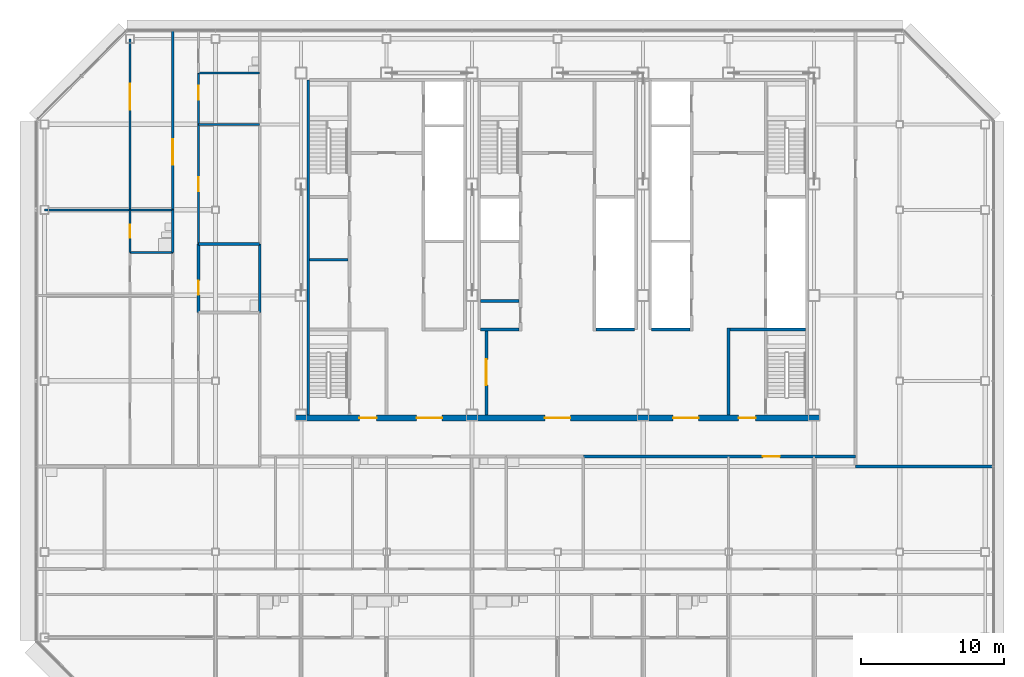
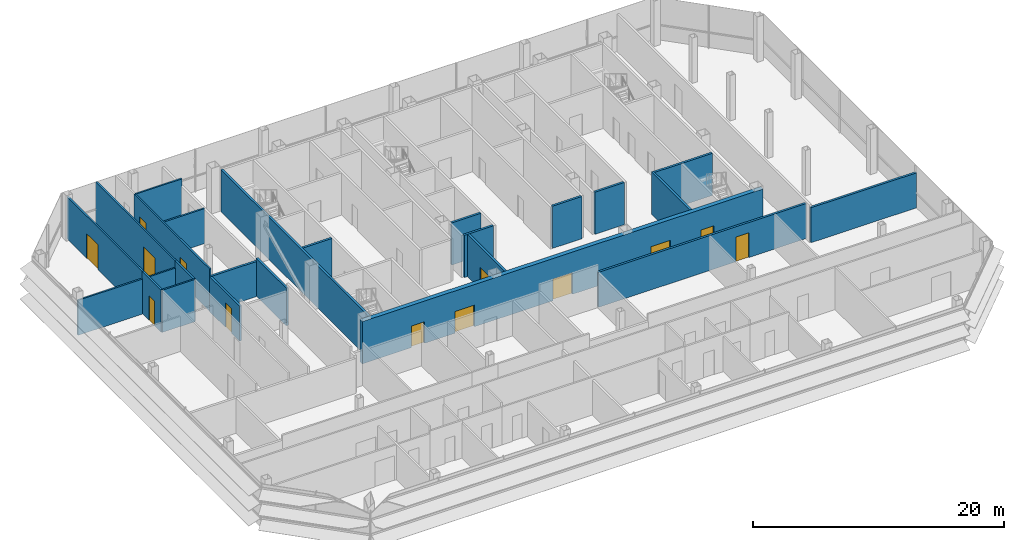
# One storey, part 23 of 29: 25 walls, 13 doors, 13 openings.
"""IFC4 building model written with IfcOpenShell, lengths in metres."""

from ifc_helpers import new_model, si_unit, direction, frame, frame_2d, origin, place, context, subcontext, project, spatial, rectangle, extrude, material, layer, layer_set, type_object, element, fill, save


model = new_model("IFC4")

# Units and contexts
model_context = context("Model", 3, precision=1e-05, world=origin(), true_north=direction((0.0, 1.0)))
body_context = subcontext(model_context, "Body", "Model", "MODEL_VIEW")
ifc_project = project(units=[si_unit("LENGTHUNIT", "METRE"), si_unit("AREAUNIT", "SQUARE_METRE"), si_unit("VOLUMEUNIT", "CUBIC_METRE"), si_unit("PLANEANGLEUNIT", "RADIAN"), si_unit("MASSUNIT", "GRAM", prefix="KILO")], contexts=[model_context])

# Site, building, storey
site_placement = place(None, origin())
site = spatial("IfcSite", under=ifc_project, at=site_placement, CompositionType="ELEMENT")
building_placement = place(site_placement, origin())
building = spatial("IfcBuilding", under=site, at=building_placement, Name="Sorahane Residences", CompositionType="ELEMENT")
storey_placement = place(building_placement, frame((0.0, 0.0, 277.39990234375)))
storey = spatial("IfcBuildingStorey", under=building, at=storey_placement, Name="L66", CompositionType="ELEMENT", Elevation=277.39990234375)

# Walls
ifc_material_1 = material(Name="Concrete C30", Category="concrete")
ifc_layer_1 = layer(ifc_material_1, 0.199951171875)
ifc_layer_set_1 = layer_set([ifc_layer_1], Name="Core face wall 200 EI 180")
wall_type_1 = type_object("IfcWallType", Name="Core face wall 200 EI 180", PredefinedType="SOLIDWALL", material=ifc_layer_set_1)
wall_1_placement = place(storey_placement, frame((6.5, 21.60009765625, 0.0), z_axis=(0.0, 0.0, 1.0), x_axis=(0.0, 1.0, 0.0)))
element("IfcWall", 1, at=wall_1_placement, inside=storey, type_object=wall_type_1, Name="L66 core face wall", PredefinedType="SOLIDWALL", context=body_context, shape_type="SweptSolid", body=[
    extrude(rectangle(XDim=23.5, YDim=0.199951171875, at=frame_2d((11.75, 0.0))), origin(), (0.0, 0.0, 1.0), 4.10009765625),
])
ifc_material_2 = material(Name="Concrete blockwork C20 wall", Category="masonry")
ifc_layer_2 = layer(ifc_material_2, 0.199951171875)
ifc_layer_set_2 = layer_set([ifc_layer_2], Name="Corridor wall 200 EI 120")
wall_type_2 = type_object("IfcWallType", Name="Corridor wall 200 EI 120", PredefinedType="SOLIDWALL", material=ifc_layer_set_2)
wall_2_placement = place(storey_placement, frame((44.89990234375, 18.0, 0.0), z_axis=(0.0, 0.0, 1.0), x_axis=(1.0, 0.0, 0.0)))
element("IfcWall", 2, at=wall_2_placement, inside=storey, type_object=wall_type_2, Name="L66 corridor wall", PredefinedType="SOLIDWALL", context=body_context, shape_type="SweptSolid", body=[
    extrude(rectangle(XDim=9.7001953125, YDim=0.199951171875, at=frame_2d((4.85009765625, 0.0))), origin(), (0.0, 0.0, 1.0), 3.400146484375),
])

# Wall, opening, door
wall_3_placement = place(storey_placement, frame((25.800048828125, 18.699951171875, 0.0), z_axis=(0.0, 0.0, 1.0), x_axis=(1.0, 0.0, 0.0)))
wall_3 = element("IfcWall", 3, at=wall_3_placement, inside=storey, type_object=wall_type_2, Name="L66 corridor wall", PredefinedType="SOLIDWALL", context=body_context, shape_type="SweptSolid", body=[
    extrude(rectangle(XDim=19.099853515625, YDim=0.199951171875, at=frame_2d((9.5498046875, 0.0))), origin(), (0.0, 0.0, 1.0), 3.400146484375),
])
opening_1_placement = place(wall_3_placement, frame((12.60009765625, 0.0, 0.0)))
opening_1 = element("IfcOpeningElement", 4, at=opening_1_placement, cuts=wall_3, Name="Opening L66-43", PredefinedType="OPENING", context=body_context, shape_type="SweptSolid", body=[
    extrude(rectangle(XDim=1.199951171875, YDim=2.39990234375, at=frame_2d((0.60009765625, 1.199951171875))), frame((0.0, 0.10986328125, 0.0), z_axis=(0.0, -1.0, 0.0), x_axis=(1.0, 0.0, 0.0)), (0.0, 0.0, 1.0), 0.219970703125),
])
ifc_material_3 = material(Name="Timber veneered fire door", Category="wood")
door_type_1 = type_object("IfcDoorType", Name="Flat entrance door 1200x2400 FD60", OperationType="NOTDEFINED", PredefinedType="DOOR", material=ifc_material_3)
door_1_placement = place(opening_1_placement, frame((1.199951171875, 0.0, 0.0), z_axis=(0.0, 0.0, 1.0), x_axis=(-1.0, 0.0, 0.0)))
door_1 = element("IfcDoor", 5, at=door_1_placement, inside=storey, type_object=door_type_1, Name="Flat entrance door L66-43", OperationType="SINGLE_SWING_LEFT", OverallHeight=2.39990234375, OverallWidth=1.199951171875, PredefinedType="DOOR", context=body_context, shape_type="SweptSolid", body=[
    extrude(rectangle(XDim=1.199951171875, YDim=2.39990234375, at=frame_2d((0.60009765625, 1.199951171875))), frame((0.0, 0.02490234375, 0.0), z_axis=(0.0, -1.0, 0.0), x_axis=(1.0, 0.0, 0.0)), (0.0, 0.0, 1.0), 0.050048828125),
])
fill(opening_1, door_1)

# Wall
ifc_material_4 = material(Name="Concrete C30", Category="concrete")
ifc_layer_3 = layer(ifc_material_4, 0.199951171875)
ifc_layer_set_3 = layer_set([ifc_layer_3], Name="Front room wall 200 EI 120")
wall_type_3 = type_object("IfcWallType", Name="Front room wall 200 EI 120", PredefinedType="PARTITIONING", material=ifc_layer_set_3)
wall_4_placement = place(storey_placement, frame((36.0, 21.60009765625, 0.0), z_axis=(0.0, 0.0, 1.0), x_axis=(0.0, 1.0, 0.0)))
element("IfcWall", 6, at=wall_4_placement, inside=storey, type_object=wall_type_3, Name="L66 front room wall", PredefinedType="PARTITIONING", context=body_context, shape_type="SweptSolid", body=[
    extrude(rectangle(XDim=6.099853515625, YDim=0.199951171875, at=frame_2d((3.0498046875, 0.0))), origin(), (0.0, 0.0, 1.0), 4.10009765625),
])

# Wall, opening, door
ifc_material_5 = material(Name="Concrete blockwork C20 wall", Category="masonry")
ifc_layer_4 = layer(ifc_material_5, 0.199951171875)
ifc_layer_set_4 = layer_set([ifc_layer_4], Name="Kitchen wall 200 EI 180")
wall_type_4 = type_object("IfcWallType", Name="Kitchen wall 200 EI 180", PredefinedType="SOLIDWALL", material=ifc_layer_set_4)
wall_5_placement = place(storey_placement, frame((-1.199951171875, 28.800048828125, 0.0), z_axis=(0.0, 0.0, 1.0), x_axis=(0.0, 1.0, 0.0)))
wall_5 = element("IfcWall", 7, at=wall_5_placement, inside=storey, type_object=wall_type_4, Name="L66 kitchen wall", PredefinedType="SOLIDWALL", context=body_context, shape_type="SweptSolid", body=[
    extrude(rectangle(XDim=4.800048828125, YDim=0.199951171875, at=frame_2d((2.39990234375, 0.0))), origin(), (0.0, 0.0, 1.0), 3.400146484375),
])
opening_2_placement = place(wall_5_placement, frame((1.239990234375, 0.0, 0.0)))
opening_2 = element("IfcOpeningElement", 8, at=opening_2_placement, cuts=wall_5, Name="Opening L66-32", PredefinedType="OPENING", context=body_context, shape_type="SweptSolid", body=[
    extrude(rectangle(XDim=1.0, YDim=2.39990234375, at=frame_2d((0.5, 1.199951171875))), frame((0.0, 0.10986328125, 0.0), z_axis=(0.0, -1.0, 0.0), x_axis=(1.0, 0.0, 0.0)), (0.0, 0.0, 1.0), 0.219970703125),
])
ifc_material_6 = material(Name="Steel", Category="steel")
door_type_2 = type_object("IfcDoorType", Name="Kitchen door 1000x2400 FD120", OperationType="NOTDEFINED", PredefinedType="DOOR", material=ifc_material_6)
door_2_placement = place(opening_2_placement, frame((1.0, 0.0, 0.0), z_axis=(0.0, 0.0, 1.0), x_axis=(-1.0, 0.0, 0.0)))
door_2 = element("IfcDoor", 9, at=door_2_placement, inside=storey, type_object=door_type_2, Name="Kitchen door L66-32", OperationType="SINGLE_SWING_LEFT", OverallHeight=2.39990234375, OverallWidth=1.0, PredefinedType="DOOR", context=body_context, shape_type="SweptSolid", body=[
    extrude(rectangle(XDim=1.0, YDim=2.39990234375, at=frame_2d((0.5, 1.199951171875))), frame((0.0, 0.02490234375, 0.0), z_axis=(0.0, -1.0, 0.0), x_axis=(1.0, 0.0, 0.0)), (0.0, 0.0, 1.0), 0.050048828125),
])
fill(opening_2, door_2)

# Walls
wall_6_placement = place(storey_placement, frame((3.10009765625, 28.800048828125, 0.0), z_axis=(0.0, 0.0, 1.0), x_axis=(0.0, 1.0, 0.0)))
element("IfcWall", 10, at=wall_6_placement, inside=storey, type_object=wall_type_4, Name="L66 kitchen wall", PredefinedType="SOLIDWALL", context=body_context, shape_type="SweptSolid", body=[
    extrude(rectangle(XDim=4.800048828125, YDim=0.199951171875, at=frame_2d((2.39990234375, 0.0))), origin(), (0.0, 0.0, 1.0), 3.650146484375),
])
wall_7_placement = place(storey_placement, frame((-1.199951171875, 33.60009765625, 0.0), z_axis=(0.0, 0.0, 1.0), x_axis=(1.0, 0.0, 0.0)))
element("IfcWall", 11, at=wall_7_placement, inside=storey, type_object=wall_type_4, Name="L66 kitchen wall", PredefinedType="SOLIDWALL", context=body_context, shape_type="SweptSolid", body=[
    extrude(rectangle(XDim=4.300048828125, YDim=0.199951171875, at=frame_2d((2.14990234375, 0.0))), origin(), (0.0, 0.0, 1.0), 3.400146484375),
])
ifc_material_7 = material(Name="Concrete C30", Category="concrete")
ifc_layer_5 = layer(ifc_material_7, 0.199951171875)
ifc_layer_set_5 = layer_set([ifc_layer_5], Name="Lift shaft wall 200 EI 120")
wall_type_5 = type_object("IfcWallType", Name="Lift shaft wall 200 EI 120", PredefinedType="SOLIDWALL", material=ifc_layer_set_5)
wall_8_placement = place(storey_placement, frame((30.60009765625, 27.60009765625, 0.0), z_axis=(0.0, 0.0, 1.0), x_axis=(1.0, 0.0, 0.0)))
element("IfcWall", 12, at=wall_8_placement, inside=storey, type_object=wall_type_5, Name="L66 lift shaft wall", PredefinedType="SOLIDWALL", context=body_context, shape_type="SweptSolid", body=[
    extrude(rectangle(XDim=2.699951171875, YDim=0.199951171875, at=frame_2d((1.35009765625, 0.0))), origin(), (0.0, 0.0, 1.0), 4.10009765625),
])

# Wall, openings, doors
ifc_material_8 = material(Name="Gypsum board partition on steel studs", Category="steel")
ifc_layer_6 = layer(ifc_material_8, 0.14990234375)
ifc_layer_set_6 = layer_set([ifc_layer_6], Name="Partition 150 EI 90")
wall_type_6 = type_object("IfcWallType", Name="Partition 150 EI 90", PredefinedType="PARTITIONING", material=ifc_layer_set_6)
wall_9_placement = place(storey_placement, frame((-1.199951171875, 33.60009765625, 0.0), z_axis=(0.0, 0.0, 1.0), x_axis=(0.0, 1.0, 0.0)))
wall_9 = element("IfcWall", 13, at=wall_9_placement, inside=storey, type_object=wall_type_6, Name="L66 partition", PredefinedType="PARTITIONING", context=body_context, shape_type="SweptSolid", body=[
    extrude(rectangle(XDim=12.0, YDim=0.14990234375, at=frame_2d((6.0, 0.0))), origin(), (0.0, 0.0, 1.0), 4.10009765625),
])
opening_3_placement = place(wall_9_placement, frame((10.1201171875, 0.0, 0.0)))
opening_3 = element("IfcOpeningElement", 14, at=opening_3_placement, cuts=wall_9, Name="Opening L66-30", PredefinedType="OPENING", context=body_context, shape_type="SweptSolid", body=[
    extrude(rectangle(XDim=1.0, YDim=2.39990234375, at=frame_2d((0.5, 1.199951171875))), frame((0.0, 0.0849609375, 0.0), z_axis=(0.0, -1.0, 0.0), x_axis=(1.0, 0.0, 0.0)), (0.0, 0.0, 1.0), 0.169921875),
])
opening_4_placement = place(wall_9_placement, frame((3.699951171875, 0.0, 0.0)))
opening_4 = element("IfcOpeningElement", 15, at=opening_4_placement, cuts=wall_9, Name="Opening L66-33", PredefinedType="OPENING", context=body_context, shape_type="SweptSolid", body=[
    extrude(rectangle(XDim=1.0, YDim=2.39990234375, at=frame_2d((0.5, 1.199951171875))), frame((0.0, 0.0849609375, 0.0), z_axis=(0.0, -1.0, 0.0), x_axis=(1.0, 0.0, 0.0)), (0.0, 0.0, 1.0), 0.169921875),
])
ifc_material_9 = material(Name="Timber veneered fire door", Category="wood")
door_type_3 = type_object("IfcDoorType", Name="Room door 1000x2400 FD30", OperationType="NOTDEFINED", PredefinedType="DOOR", material=ifc_material_9)
door_3_placement = place(opening_3_placement, origin())
door_3 = element("IfcDoor", 16, at=door_3_placement, inside=storey, type_object=door_type_3, Name="Room door L66-30", OperationType="SINGLE_SWING_LEFT", OverallHeight=2.39990234375, OverallWidth=1.0, PredefinedType="DOOR", context=body_context, shape_type="SweptSolid", body=[
    extrude(rectangle(XDim=1.0, YDim=2.39990234375, at=frame_2d((0.5, 1.199951171875))), frame((0.0, 0.02490234375, 0.0), z_axis=(0.0, -1.0, 0.0), x_axis=(1.0, 0.0, 0.0)), (0.0, 0.0, 1.0), 0.050048828125),
])
fill(opening_3, door_3)
door_4_placement = place(opening_4_placement, frame((1.0, 0.0, 0.0), z_axis=(0.0, 0.0, 1.0), x_axis=(-1.0, 0.0, 0.0)))
door_4 = element("IfcDoor", 17, at=door_4_placement, inside=storey, type_object=door_type_3, Name="Room door L66-33", OperationType="SINGLE_SWING_LEFT", OverallHeight=2.39990234375, OverallWidth=1.0, PredefinedType="DOOR", context=body_context, shape_type="SweptSolid", body=[
    extrude(rectangle(XDim=1.0, YDim=2.39990234375, at=frame_2d((0.5, 1.199951171875))), frame((0.0, 0.02490234375, 0.0), z_axis=(0.0, -1.0, 0.0), x_axis=(1.0, 0.0, 0.0)), (0.0, 0.0, 1.0), 0.050048828125),
])
fill(opening_4, door_4)

# Wall, opening, door
wall_10_placement = place(storey_placement, frame((-3.0, 36.0, 0.0), z_axis=(0.0, 0.0, 1.0), x_axis=(0.0, 1.0, 0.0)))
wall_10 = element("IfcWall", 18, at=wall_10_placement, inside=storey, type_object=wall_type_6, Name="L66 partition", PredefinedType="PARTITIONING", context=body_context, shape_type="SweptSolid", body=[
    extrude(rectangle(XDim=12.60009765625, YDim=0.14990234375, at=frame_2d((6.300048828125, 0.0))), origin(), (0.0, 0.0, 1.0), 4.10009765625),
])
opening_5_placement = place(wall_10_placement, frame((3.159912109375, 0.0, 0.0)))
opening_5 = element("IfcOpeningElement", 19, at=opening_5_placement, cuts=wall_10, Name="Opening L66-37", PredefinedType="OPENING", context=body_context, shape_type="SweptSolid", body=[
    extrude(rectangle(XDim=1.800048828125, YDim=2.39990234375, at=frame_2d((0.89990234375, 1.199951171875))), frame((0.0, 0.0849609375, 0.0), z_axis=(0.0, -1.0, 0.0), x_axis=(1.0, 0.0, 0.0)), (0.0, 0.0, 1.0), 0.169921875),
])
ifc_material_10 = material(Name="Timber veneered fire door", Category="wood")
door_type_4 = type_object("IfcDoorType", Name="Double door 1800x2400 FD30", OperationType="NOTDEFINED", PredefinedType="DOOR", material=ifc_material_10)
door_5_placement = place(opening_5_placement, origin())
door_5 = element("IfcDoor", 20, at=door_5_placement, inside=storey, type_object=door_type_4, Name="Double door L66-37", OperationType="SINGLE_SWING_LEFT", OverallHeight=2.39990234375, OverallWidth=1.800048828125, PredefinedType="DOOR", context=body_context, shape_type="SweptSolid", body=[
    extrude(rectangle(XDim=1.800048828125, YDim=2.39990234375, at=frame_2d((0.89990234375, 1.199951171875))), frame((0.0, 0.02490234375, 0.0), z_axis=(0.0, -1.0, 0.0), x_axis=(1.0, 0.0, 0.0)), (0.0, 0.0, 1.0), 0.050048828125),
])
fill(opening_5, door_5)

wall_11_placement = place(storey_placement, frame((-6.0, 36.0, 0.0), z_axis=(0.0, 0.0, 1.0), x_axis=(0.0, 1.0, 0.0)))
wall_11 = element("IfcWall", 21, at=wall_11_placement, inside=storey, type_object=wall_type_6, Name="L66 partition", PredefinedType="PARTITIONING", context=body_context, shape_type="SweptSolid", body=[
    extrude(rectangle(XDim=12.0, YDim=0.14990234375, at=frame_2d((6.0, 0.0))), origin(), (0.0, 0.0, 1.0), 4.10009765625),
])
opening_6_placement = place(wall_11_placement, frame((7.0400390625, 0.0, 0.0)))
opening_6 = element("IfcOpeningElement", 22, at=opening_6_placement, cuts=wall_11, Name="Opening L66-41", PredefinedType="OPENING", context=body_context, shape_type="SweptSolid", body=[
    extrude(rectangle(XDim=1.800048828125, YDim=2.39990234375, at=frame_2d((0.89990234375, 1.199951171875))), frame((0.0, 0.0849609375, 0.0), z_axis=(0.0, -1.0, 0.0), x_axis=(1.0, 0.0, 0.0)), (0.0, 0.0, 1.0), 0.169921875),
])
door_6_placement = place(opening_6_placement, origin())
door_6 = element("IfcDoor", 23, at=door_6_placement, inside=storey, type_object=door_type_4, Name="Double door L66-41", OperationType="SINGLE_SWING_LEFT", OverallHeight=2.39990234375, OverallWidth=1.800048828125, PredefinedType="DOOR", context=body_context, shape_type="SweptSolid", body=[
    extrude(rectangle(XDim=1.800048828125, YDim=2.39990234375, at=frame_2d((0.89990234375, 1.199951171875))), frame((0.0, 0.02490234375, 0.0), z_axis=(0.0, -1.0, 0.0), x_axis=(1.0, 0.0, 0.0)), (0.0, 0.0, 1.0), 0.050048828125),
])
fill(opening_6, door_6)

# Walls
wall_12_placement = place(storey_placement, frame((-12.0, 36.0, 0.0), z_axis=(0.0, 0.0, 1.0), x_axis=(1.0, 0.0, 0.0)))
element("IfcWall", 24, at=wall_12_placement, inside=storey, type_object=wall_type_6, Name="L66 partition", PredefinedType="PARTITIONING", context=body_context, shape_type="SweptSolid", body=[
    extrude(rectangle(XDim=6.0, YDim=0.14990234375, at=frame_2d((3.0, 0.0))), origin(), (0.0, 0.0, 1.0), 3.400146484375),
])
wall_13_placement = place(storey_placement, frame((-1.199951171875, 42.0, 0.0), z_axis=(0.0, 0.0, 1.0), x_axis=(1.0, 0.0, 0.0)))
element("IfcWall", 25, at=wall_13_placement, inside=storey, type_object=wall_type_6, Name="L66 partition", PredefinedType="PARTITIONING", context=body_context, shape_type="SweptSolid", body=[
    extrude(rectangle(XDim=4.300048828125, YDim=0.14990234375, at=frame_2d((2.14990234375, 0.0))), origin(), (0.0, 0.0, 1.0), 3.400146484375),
])
ifc_material_11 = material(Name="Concrete C30", Category="concrete")
ifc_layer_7 = layer(ifc_material_11, 0.199951171875)
ifc_layer_set_7 = layer_set([ifc_layer_7], Name="Riser shaft wall 200 EI 120")
wall_type_7 = type_object("IfcWallType", Name="Riser shaft wall 200 EI 120", PredefinedType="SOLIDWALL", material=ifc_layer_set_7)
wall_14_placement = place(storey_placement, frame((26.699951171875, 27.60009765625, 0.0), z_axis=(0.0, 0.0, 1.0), x_axis=(1.0, 0.0, 0.0)))
element("IfcWall", 26, at=wall_14_placement, inside=storey, type_object=wall_type_7, Name="L66 riser wall", PredefinedType="SOLIDWALL", context=body_context, shape_type="SweptSolid", body=[
    extrude(rectangle(XDim=2.699951171875, YDim=0.199951171875, at=frame_2d((1.35009765625, 0.0))), origin(), (0.0, 0.0, 1.0), 4.10009765625),
])

# Wall, opening, door
ifc_material_12 = material(Name="Concrete C30", Category="concrete")
ifc_layer_8 = layer(ifc_material_12, 0.199951171875)
ifc_layer_set_8 = layer_set([ifc_layer_8], Name="Service room partition 200 EI 60")
wall_type_8 = type_object("IfcWallType", Name="Service room partition 200 EI 60", PredefinedType="PARTITIONING", material=ifc_layer_set_8)
wall_15_placement = place(storey_placement, frame((19.0, 21.60009765625, 0.0), z_axis=(0.0, 0.0, 1.0), x_axis=(0.0, 1.0, 0.0)))
wall_15 = element("IfcWall", 27, at=wall_15_placement, inside=storey, type_object=wall_type_8, Name="L66 service room wall", PredefinedType="PARTITIONING", context=body_context, shape_type="SweptSolid", body=[
    extrude(rectangle(XDim=6.0, YDim=0.199951171875, at=frame_2d((3.0, 0.0))), origin(), (0.0, 0.0, 1.0), 4.10009765625),
])
opening_7_placement = place(wall_15_placement, frame((2.10009765625, 0.0, 0.0)))
opening_7 = element("IfcOpeningElement", 28, at=opening_7_placement, cuts=wall_15, Name="Opening L66-C02", PredefinedType="OPENING", context=body_context, shape_type="SweptSolid", body=[
    extrude(rectangle(XDim=1.800048828125, YDim=2.10009765625, at=frame_2d((0.89990234375, 1.050048828125))), frame((0.0, 0.10986328125, 0.0), z_axis=(0.0, -1.0, 0.0), x_axis=(1.0, 0.0, 0.0)), (0.0, 0.0, 1.0), 0.219970703125),
])
ifc_material_13 = material(Name="Steel", Category="steel")
door_type_5 = type_object("IfcDoorType", Name="Waiting hall door 1800x2100 FD60", OperationType="NOTDEFINED", PredefinedType="DOOR", material=ifc_material_13)
door_7_placement = place(opening_7_placement, origin())
door_7 = element("IfcDoor", 29, at=door_7_placement, inside=storey, type_object=door_type_5, Name="Waiting hall door Residents' waiting hall west L66", OperationType="SINGLE_SWING_LEFT", OverallHeight=2.10009765625, OverallWidth=1.800048828125, PredefinedType="DOOR", context=body_context, shape_type="SweptSolid", body=[
    extrude(rectangle(XDim=1.800048828125, YDim=2.10009765625, at=frame_2d((0.89990234375, 1.050048828125))), frame((0.0, 0.02490234375, 0.0), z_axis=(0.0, -1.0, 0.0), x_axis=(1.0, 0.0, 0.0)), (0.0, 0.0, 1.0), 0.050048828125),
])
fill(opening_7, door_7)

# Walls
for number, where, z_axis, x_axis, name in (
    (30, (18.60009765625, 27.60009765625, 0.0), (0.0, 0.0, 1.0), (1.0, 0.0, 0.0), "L66 service room wall"),
    (31, (18.60009765625, 29.60009765625, 0.0), (0.0, 0.0, 1.0), (1.0, 0.0, 0.0), "L66 service room wall"),
    (32, (6.60009765625, 32.5, 0.0), (0.0, 0.0, 1.0), (1.0, 0.0, 0.0), "L66 service room wall"),
):
    element("IfcWall", number, at=place(storey_placement, frame(where, z_axis=z_axis, x_axis=x_axis)), inside=storey, type_object=wall_type_8, Name=name, PredefinedType="PARTITIONING", context=body_context, shape_type="SweptSolid", body=[
        extrude(rectangle(XDim=2.699951171875, YDim=0.199951171875, at=frame_2d((1.35009765625, 0.0))), origin(), (0.0, 0.0, 1.0), 4.10009765625),
    ])
ifc_material_14 = material(Name="Concrete C30", Category="concrete")
ifc_layer_9 = layer(ifc_material_14, 0.199951171875)
ifc_layer_set_9 = layer_set([ifc_layer_9], Name="Stair enclosure wall 200 EI 120")
wall_type_9 = type_object("IfcWallType", Name="Stair enclosure wall 200 EI 120", PredefinedType="SOLIDWALL", material=ifc_layer_set_9)
wall_16_placement = place(storey_placement, frame((36.10009765625, 27.60009765625, 0.0), z_axis=(0.0, 0.0, 1.0), x_axis=(1.0, 0.0, 0.0)))
element("IfcWall", 33, at=wall_16_placement, inside=storey, type_object=wall_type_9, Name="L66 stair enclosure wall", PredefinedType="SOLIDWALL", context=body_context, shape_type="SweptSolid", body=[
    extrude(rectangle(XDim=5.2998046875, YDim=0.199951171875, at=frame_2d((2.64990234375, 0.0))), origin(), (0.0, 0.0, 1.0), 4.10009765625),
])

# Wall, openings, doors
ifc_material_15 = material(Name="Concrete C30", Category="concrete")
ifc_layer_10 = layer(ifc_material_15, 0.39990234375)
ifc_layer_set_10 = layer_set([ifc_layer_10], Name="Waiting hall wall 400 EI 120")
wall_type_10 = type_object("IfcWallType", Name="Waiting hall wall 400 EI 120", PredefinedType="SOLIDWALL", material=ifc_layer_set_10)
wall_17_placement = place(storey_placement, frame((5.60009765625, 21.39990234375, 0.0), z_axis=(0.0, 0.0, 1.0), x_axis=(1.0, 0.0, 0.0)))
wall_17 = element("IfcWall", 34, at=wall_17_placement, inside=storey, type_object=wall_type_10, Name="L66 waiting hall wall", PredefinedType="SOLIDWALL", context=body_context, shape_type="SweptSolid", body=[
    extrude(rectangle(XDim=36.7998046875, YDim=0.39990234375, at=frame_2d((18.39990234375, 0.0))), origin(), (0.0, 0.0, 1.0), 4.10009765625),
])
opening_8_placement = place(wall_17_placement, frame((8.5, 0.0, 0.0)))
opening_8 = element("IfcOpeningElement", 35, at=opening_8_placement, cuts=wall_17, Name="Opening L66-C01", PredefinedType="OPENING", context=body_context, shape_type="SweptSolid", body=[
    extrude(rectangle(XDim=1.800048828125, YDim=2.10009765625, at=frame_2d((0.89990234375, 1.050048828125))), frame((0.0, 0.2099609375, 0.0), z_axis=(0.0, -1.0, 0.0), x_axis=(1.0, 0.0, 0.0)), (0.0, 0.0, 1.0), 0.419921875),
])
opening_9_placement = place(wall_17_placement, frame((17.5, 0.0, 0.0)))
opening_9 = element("IfcOpeningElement", 36, at=opening_9_placement, cuts=wall_17, Name="Opening L66-C03", PredefinedType="OPENING", context=body_context, shape_type="SweptSolid", body=[
    extrude(rectangle(XDim=1.800048828125, YDim=2.10009765625, at=frame_2d((0.89990234375, 1.050048828125))), frame((0.0, 0.2099609375, 0.0), z_axis=(0.0, -1.0, 0.0), x_axis=(1.0, 0.0, 0.0)), (0.0, 0.0, 1.0), 0.419921875),
])
opening_10_placement = place(wall_17_placement, frame((26.5, 0.0, 0.0)))
opening_10 = element("IfcOpeningElement", 37, at=opening_10_placement, cuts=wall_17, Name="Opening L66-C04", PredefinedType="OPENING", context=body_context, shape_type="SweptSolid", body=[
    extrude(rectangle(XDim=1.800048828125, YDim=2.10009765625, at=frame_2d((0.89990234375, 1.050048828125))), frame((0.0, 0.2099609375, 0.0), z_axis=(0.0, -1.0, 0.0), x_axis=(1.0, 0.0, 0.0)), (0.0, 0.0, 1.0), 0.419921875),
])
opening_11_placement = place(wall_17_placement, frame((4.5, 0.0, 0.0)))
opening_11 = element("IfcOpeningElement", 38, at=opening_11_placement, cuts=wall_17, Name="Opening L66-C05", PredefinedType="OPENING", context=body_context, shape_type="SweptSolid", body=[
    extrude(rectangle(XDim=1.199951171875, YDim=2.10009765625, at=frame_2d((0.60009765625, 1.050048828125))), frame((0.0, 0.2099609375, 0.0), z_axis=(0.0, -1.0, 0.0), x_axis=(1.0, 0.0, 0.0)), (0.0, 0.0, 1.0), 0.419921875),
])
opening_12_placement = place(wall_17_placement, frame((31.10009765625, 0.0, 0.0)))
opening_12 = element("IfcOpeningElement", 39, at=opening_12_placement, cuts=wall_17, Name="Opening L66-C06", PredefinedType="OPENING", context=body_context, shape_type="SweptSolid", body=[
    extrude(rectangle(XDim=1.199951171875, YDim=2.10009765625, at=frame_2d((0.60009765625, 1.050048828125))), frame((0.0, 0.2099609375, 0.0), z_axis=(0.0, -1.0, 0.0), x_axis=(1.0, 0.0, 0.0)), (0.0, 0.0, 1.0), 0.419921875),
])
ifc_material_16 = material(Name="Steel", Category="steel")
door_type_6 = type_object("IfcDoorType", Name="Stair front room door 1200x2100 FD120", OperationType="NOTDEFINED", PredefinedType="DOOR", material=ifc_material_16)
door_8_placement = place(opening_11_placement, frame((1.199951171875, 0.0, 0.0), z_axis=(0.0, 0.0, 1.0), x_axis=(-1.0, 0.0, 0.0)))
door_8 = element("IfcDoor", 40, at=door_8_placement, inside=storey, type_object=door_type_6, Name="Stair front room door Stair S4 front room L66", OperationType="SINGLE_SWING_LEFT", OverallHeight=2.10009765625, OverallWidth=1.199951171875, PredefinedType="DOOR", context=body_context, shape_type="SweptSolid", body=[
    extrude(rectangle(XDim=1.199951171875, YDim=2.10009765625, at=frame_2d((0.60009765625, 1.050048828125))), frame((0.0, 0.02490234375, 0.0), z_axis=(0.0, -1.0, 0.0), x_axis=(1.0, 0.0, 0.0)), (0.0, 0.0, 1.0), 0.050048828125),
])
fill(opening_11, door_8)
door_9_placement = place(opening_12_placement, frame((1.199951171875, 0.0, 0.0), z_axis=(0.0, 0.0, 1.0), x_axis=(-1.0, 0.0, 0.0)))
door_9 = element("IfcDoor", 41, at=door_9_placement, inside=storey, type_object=door_type_6, Name="Stair front room door Stair S5 front room L66", OperationType="SINGLE_SWING_LEFT", OverallHeight=2.10009765625, OverallWidth=1.199951171875, PredefinedType="DOOR", context=body_context, shape_type="SweptSolid", body=[
    extrude(rectangle(XDim=1.199951171875, YDim=2.10009765625, at=frame_2d((0.60009765625, 1.050048828125))), frame((0.0, 0.02490234375, 0.0), z_axis=(0.0, -1.0, 0.0), x_axis=(1.0, 0.0, 0.0)), (0.0, 0.0, 1.0), 0.050048828125),
])
fill(opening_12, door_9)
door_10_placement = place(opening_8_placement, frame((1.800048828125, 0.0, 0.0), z_axis=(0.0, 0.0, 1.0), x_axis=(-1.0, 0.0, 0.0)))
door_10 = element("IfcDoor", 42, at=door_10_placement, inside=storey, type_object=door_type_5, Name="Waiting hall door Residents' waiting hall west L66", OperationType="SINGLE_SWING_LEFT", OverallHeight=2.10009765625, OverallWidth=1.800048828125, PredefinedType="DOOR", context=body_context, shape_type="SweptSolid", body=[
    extrude(rectangle(XDim=1.800048828125, YDim=2.10009765625, at=frame_2d((0.89990234375, 1.050048828125))), frame((0.0, 0.02490234375, 0.0), z_axis=(0.0, -1.0, 0.0), x_axis=(1.0, 0.0, 0.0)), (0.0, 0.0, 1.0), 0.050048828125),
])
fill(opening_8, door_10)
door_11_placement = place(opening_9_placement, frame((1.800048828125, 0.0, 0.0), z_axis=(0.0, 0.0, 1.0), x_axis=(-1.0, 0.0, 0.0)))
door_11 = element("IfcDoor", 43, at=door_11_placement, inside=storey, type_object=door_type_5, Name="Waiting hall door Residents' waiting hall east L66", OperationType="SINGLE_SWING_LEFT", OverallHeight=2.10009765625, OverallWidth=1.800048828125, PredefinedType="DOOR", context=body_context, shape_type="SweptSolid", body=[
    extrude(rectangle(XDim=1.800048828125, YDim=2.10009765625, at=frame_2d((0.89990234375, 1.050048828125))), frame((0.0, 0.02490234375, 0.0), z_axis=(0.0, -1.0, 0.0), x_axis=(1.0, 0.0, 0.0)), (0.0, 0.0, 1.0), 0.050048828125),
])
fill(opening_9, door_11)
door_12_placement = place(opening_10_placement, frame((1.800048828125, 0.0, 0.0), z_axis=(0.0, 0.0, 1.0), x_axis=(-1.0, 0.0, 0.0)))
door_12 = element("IfcDoor", 44, at=door_12_placement, inside=storey, type_object=door_type_5, Name="Waiting hall door Residents' waiting hall east L66", OperationType="SINGLE_SWING_LEFT", OverallHeight=2.10009765625, OverallWidth=1.800048828125, PredefinedType="DOOR", context=body_context, shape_type="SweptSolid", body=[
    extrude(rectangle(XDim=1.800048828125, YDim=2.10009765625, at=frame_2d((0.89990234375, 1.050048828125))), frame((0.0, 0.02490234375, 0.0), z_axis=(0.0, -1.0, 0.0), x_axis=(1.0, 0.0, 0.0)), (0.0, 0.0, 1.0), 0.050048828125),
])
fill(opening_10, door_12)

# Wall
ifc_material_17 = material(Name="Gypsum board partition on steel studs", Category="steel")
ifc_layer_11 = layer(ifc_material_17, 0.14990234375)
ifc_layer_set_11 = layer_set([ifc_layer_11], Name="Wet wall 150 EI 90")
wall_type_11 = type_object("IfcWallType", Name="Wet wall 150 EI 90", PredefinedType="PARTITIONING", material=ifc_layer_set_11)
wall_18_placement = place(storey_placement, frame((-3.0, 33.0, 0.0), z_axis=(0.0, 0.0, 1.0), x_axis=(0.0, 1.0, 0.0)))
element("IfcWall", 45, at=wall_18_placement, inside=storey, type_object=wall_type_11, Name="L66 wet wall", PredefinedType="PARTITIONING", context=body_context, shape_type="SweptSolid", body=[
    extrude(rectangle(XDim=3.0, YDim=0.14990234375, at=frame_2d((1.5, 0.0))), origin(), (0.0, 0.0, 1.0), 4.10009765625),
])

# Wall, opening, door
wall_19_placement = place(storey_placement, frame((-6.0, 33.0, 0.0), z_axis=(0.0, 0.0, 1.0), x_axis=(0.0, 1.0, 0.0)))
wall_19 = element("IfcWall", 46, at=wall_19_placement, inside=storey, type_object=wall_type_11, Name="L66 wet wall", PredefinedType="PARTITIONING", context=body_context, shape_type="SweptSolid", body=[
    extrude(rectangle(XDim=3.0, YDim=0.14990234375, at=frame_2d((1.5, 0.0))), origin(), (0.0, 0.0, 1.0), 4.10009765625),
])
opening_13_placement = place(wall_19_placement, frame((1.050048828125, 0.0, 0.0)))
opening_13 = element("IfcOpeningElement", 47, at=opening_13_placement, cuts=wall_19, Name="Opening L66-40", PredefinedType="OPENING", context=body_context, shape_type="SweptSolid", body=[
    extrude(rectangle(XDim=0.89990234375, YDim=2.39990234375, at=frame_2d((0.449951171875, 1.199951171875))), frame((0.0, 0.0849609375, 0.0), z_axis=(0.0, -1.0, 0.0), x_axis=(1.0, 0.0, 0.0)), (0.0, 0.0, 1.0), 0.169921875),
])
ifc_material_18 = material(Name="Timber veneered fire door", Category="wood")
door_type_7 = type_object("IfcDoorType", Name="Bathroom door 900x2400 FD30", OperationType="NOTDEFINED", PredefinedType="DOOR", material=ifc_material_18)
door_13_placement = place(opening_13_placement, origin())
door_13 = element("IfcDoor", 48, at=door_13_placement, inside=storey, type_object=door_type_7, Name="Bathroom door L66-40", OperationType="SINGLE_SWING_LEFT", OverallHeight=2.39990234375, OverallWidth=0.89990234375, PredefinedType="DOOR", context=body_context, shape_type="SweptSolid", body=[
    extrude(rectangle(XDim=0.89990234375, YDim=2.39990234375, at=frame_2d((0.449951171875, 1.199951171875))), frame((0.0, 0.02490234375, 0.0), z_axis=(0.0, -1.0, 0.0), x_axis=(1.0, 0.0, 0.0)), (0.0, 0.0, 1.0), 0.050048828125),
])
fill(opening_13, door_13)

# Walls
wall_20_placement = place(storey_placement, frame((-6.0, 33.0, 0.0), z_axis=(0.0, 0.0, 1.0), x_axis=(1.0, 0.0, 0.0)))
element("IfcWall", 49, at=wall_20_placement, inside=storey, type_object=wall_type_11, Name="L66 wet wall", PredefinedType="PARTITIONING", context=body_context, shape_type="SweptSolid", body=[
    extrude(rectangle(XDim=3.0, YDim=0.14990234375, at=frame_2d((1.5, 0.0))), origin(), (0.0, 0.0, 1.0), 4.10009765625),
])
wall_21_placement = place(storey_placement, frame((-6.0, 36.0, 0.0), z_axis=(0.0, 0.0, 1.0), x_axis=(1.0, 0.0, 0.0)))
element("IfcWall", 50, at=wall_21_placement, inside=storey, type_object=wall_type_11, Name="L66 wet wall", PredefinedType="PARTITIONING", context=body_context, shape_type="SweptSolid", body=[
    extrude(rectangle(XDim=3.0, YDim=0.14990234375, at=frame_2d((1.5, 0.0))), origin(), (0.0, 0.0, 1.0), 3.400146484375),
])
wall_22_placement = place(storey_placement, frame((-1.199951171875, 45.60009765625, 0.0), z_axis=(0.0, 0.0, 1.0), x_axis=(1.0, 0.0, 0.0)))
element("IfcWall", 51, at=wall_22_placement, inside=storey, type_object=wall_type_11, Name="L66 wet wall", PredefinedType="PARTITIONING", context=body_context, shape_type="SweptSolid", body=[
    extrude(rectangle(XDim=4.300048828125, YDim=0.14990234375, at=frame_2d((2.14990234375, 0.0))), origin(), (0.0, 0.0, 1.0), 4.10009765625),
])

save(model, "model.ifc")
